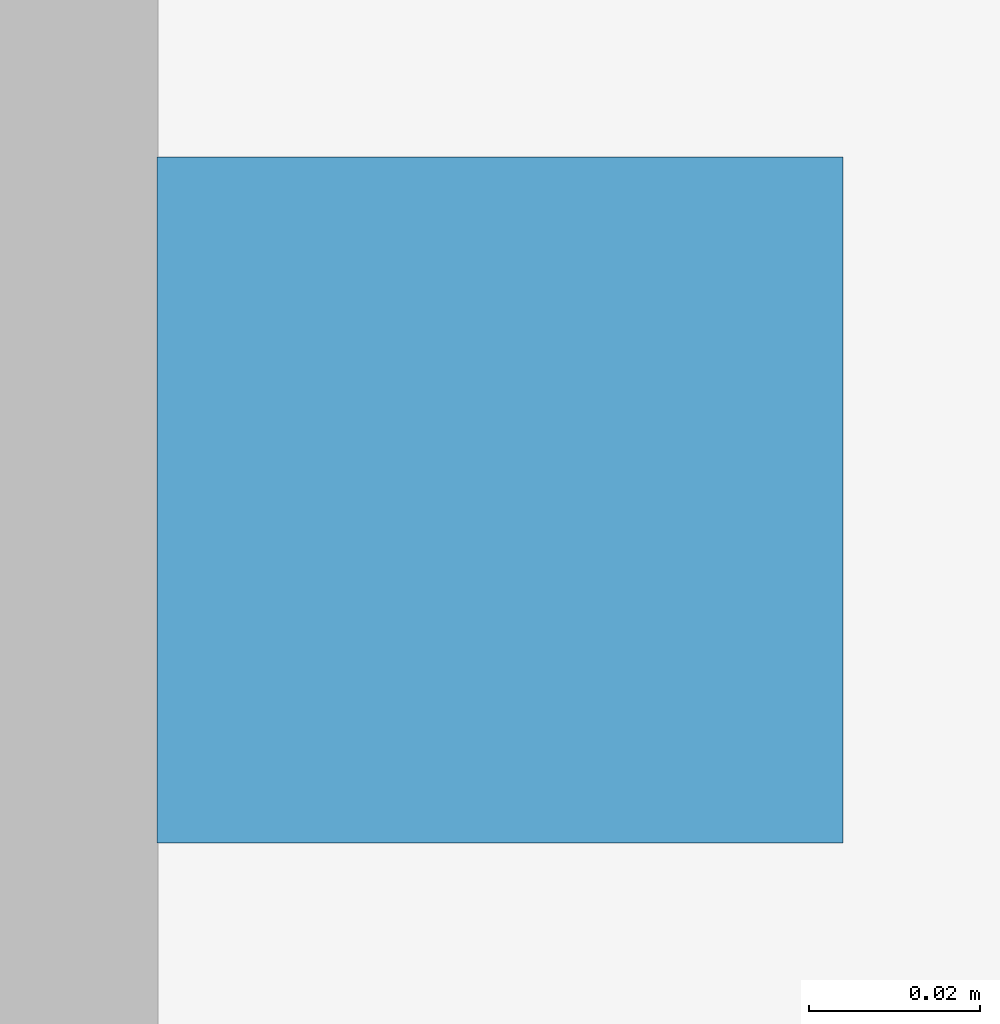
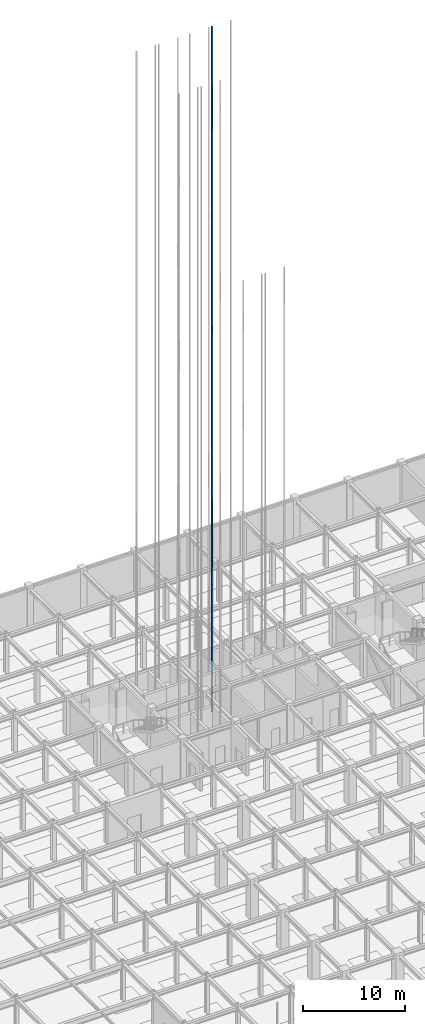
# One storey, part 62 of 69: 1 discrete accessory.
"""IFC4 building model written with IfcOpenShell, lengths in metres."""

import ifcopenshell
import ifcopenshell.guid

model = None  # the IFC model being written
_history = None  # IfcOwnerHistory: only IFC2X3 demands one
_inside = {}  # id of a spatial element -> (the spatial element, [elements in it])
_under = {}  # id of a project, library or spatial element -> (it, [spatial elements below it])
_declared = {}  # id of a project -> (the project, [libraries it declares])
_typed = {}  # id of a type object -> (the type object, [elements of that type])
_made_of = {}  # id of a material, layer set ... -> (it, [elements and type objects made of it])


def new_model(schema):
    """Start an empty IFC model of exactly this schema.

    Asked for "IFC4X3", IfcOpenShell would pick the latest addendum, in which some entities
    have other attributes; the version numbers below select the first issue.
    IFC2X3 requires an IfcOwnerHistory on every rooted entity: one is made here for all.
    """
    global model, _history
    if schema == "IFC4X3":
        model = ifcopenshell.file(schema_version=(4, 3, 0, 0))
    else:
        model = ifcopenshell.file(schema=schema)
    _inside.clear()
    _under.clear()
    _declared.clear()
    _typed.clear()
    _made_of.clear()
    _history = None
    if model.schema == "IFC2X3":
        org = make("IfcOrganization", Name="unknown")
        user = make(
            "IfcPersonAndOrganization",
            ThePerson=make("IfcPerson", FamilyName="unknown"),
            TheOrganization=org,
        )
        app = make(
            "IfcApplication",
            ApplicationDeveloper=org,
            Version="unknown",
            ApplicationFullName="unknown",
            ApplicationIdentifier="unknown",
        )
        _history = make(
            "IfcOwnerHistory",
            OwningUser=user,
            OwningApplication=app,
            ChangeAction="ADDED",
            CreationDate=0,
        )
    return model


def make(cls, **values):
    """One entity of the class cls with the attributes given. An attribute that is None is left unset."""
    return model.create_entity(
        cls, **{name: value for name, value in values.items() if value is not None}
    )


def rooted(cls, **values):
    """An entity with a GlobalId (a new one), such as an element, a storey or a relation."""
    return make(cls, GlobalId=ifcopenshell.guid.new(), OwnerHistory=_history, **values)


def si_unit(unit_type, name, prefix=None):
    """IfcSIUnit, for example si_unit("LENGTHUNIT", "METRE", prefix="MILLI")."""
    return make("IfcSIUnit", UnitType=unit_type, Prefix=prefix, Name=name)


def assignment(units):
    """IfcUnitAssignment: the units of a project."""
    return None if units is None else make("IfcUnitAssignment", Units=units)


def point(xyz):
    """IfcCartesianPoint."""
    return None if xyz is None else make("IfcCartesianPoint", Coordinates=xyz)


def direction(xyz):
    """IfcDirection."""
    return None if xyz is None else make("IfcDirection", DirectionRatios=xyz)


def frame(location, z_axis=None, x_axis=None):
    """IfcAxis2Placement3D, a coordinate frame: its origin and axes. An axis left out is left unset."""
    return make(
        "IfcAxis2Placement3D",
        Location=point(location),
        Axis=direction(z_axis),
        RefDirection=direction(x_axis),
    )


def frame_2d(location, x_axis=None):
    """IfcAxis2Placement2D, a coordinate frame in the plane: its origin and x axis."""
    return make(
        "IfcAxis2Placement2D", Location=point(location), RefDirection=direction(x_axis)
    )


def origin():
    """The frame at (0, 0, 0) with its axes left unset."""
    return frame((0.0, 0.0, 0.0))


def origin_2d():
    """The frame at (0, 0) in the plane with its x axis left unset."""
    return frame_2d((0.0, 0.0))


def place(relative_to, where):
    """IfcLocalPlacement: puts the frame where relative to a parent placement (None: the world)."""
    return make(
        "IfcLocalPlacement", PlacementRelTo=relative_to, RelativePlacement=where
    )


def context(
    kind, dimensions, precision=None, world=None, true_north=None, identifier=None
):
    """IfcGeometricRepresentationContext, for example the 3D "Model" context."""
    return make(
        "IfcGeometricRepresentationContext",
        ContextIdentifier=identifier,
        ContextType=kind,
        CoordinateSpaceDimension=dimensions,
        Precision=precision,
        WorldCoordinateSystem=world,
        TrueNorth=true_north,
    )


def subcontext(parent, identifier, kind, view, scale=None):
    """IfcGeometricRepresentationSubContext, for example "Body" below "Model"."""
    return make(
        "IfcGeometricRepresentationSubContext",
        ContextIdentifier=identifier,
        ContextType=kind,
        ParentContext=parent,
        TargetScale=scale,
        TargetView=view,
    )


def project(units=None, contexts=None):
    """IfcProject with its units and contexts."""
    return rooted(
        "IfcProject",
        Name="project",
        RepresentationContexts=contexts,
        UnitsInContext=assignment(units),
    )


def spatial(cls, under=None, at=None, **own):
    """A site, building, storey or space (cls), placed at a placement, below another one or the project."""
    s = rooted(cls, ObjectPlacement=at, **own)
    if under is not None:
        _under.setdefault(under.id(), (under, []))[1].append(s)
    return s


def profile(cls, at=None, kind="AREA", **sizes):
    """A parametric profile (cls). Its sizes go by their IFC names, for example OverallWidth=200.0."""
    return make(cls, ProfileType=kind, Position=at, **sizes)


def rectangle(**sizes):
    """IfcRectangleProfileDef."""
    return profile("IfcRectangleProfileDef", **sizes)


def extrude(swept, where, along, depth):
    """IfcExtrudedAreaSolid: the profile swept, set in the frame where, extruded along a direction by depth."""
    return make(
        "IfcExtrudedAreaSolid",
        SweptArea=swept,
        Position=where,
        ExtrudedDirection=direction(along),
        Depth=depth,
    )


def shape(context_of_items, identifier, shape_type, items):
    """IfcShapeRepresentation: the items that make up one representation, for example the "Body"."""
    return make(
        "IfcShapeRepresentation",
        ContextOfItems=context_of_items,
        RepresentationIdentifier=identifier,
        RepresentationType=shape_type,
        Items=items,
    )


def material(Name=None, Category=None):
    """IfcMaterial."""
    return make("IfcMaterial", Name=Name, Category=Category)


def made_of(thing, what):
    """Note that an element or type object is made of a material, layer set ...; save() writes the relation."""
    if what is not None:
        _made_of.setdefault(what.id(), (what, []))[1].append(thing)
    return thing


def type_object(cls, material=None, **own):
    """A type object (cls), such as IfcWallType, which elements share."""
    return made_of(rooted(cls, **own), material)


def element(
    cls,
    number,
    at=None,
    inside=None,
    cuts=None,
    type_object=None,
    material=None,
    context=None,
    identifier="Body",
    shape_type=None,
    held_by="IfcProductDefinitionShape",
    body=None,
    shapes=None,
    **own,
):
    """One element of the class cls, such as IfcWall. Its Tag is "e" and its number.

    at: its placement. inside: the storey or other place that contains it. cuts: it is an
    opening in that element (IfcRelVoidsElement). A single representation is given by context,
    identifier, shape_type and body (its items); several are given by shapes. held_by: the class
    of the entity that holds the representations. save() writes the other relations.
    """
    e = rooted(cls, Tag="e%d" % number, ObjectPlacement=at, **own)
    if body is not None:
        shapes = [shape(context, identifier, shape_type, body)]
    if shapes is not None:
        e.Representation = make(held_by, Representations=shapes)
    if inside is not None:
        _inside.setdefault(inside.id(), (inside, []))[1].append(e)
    if cuts is not None:
        rooted(
            "IfcRelVoidsElement", RelatingBuildingElement=cuts, RelatedOpeningElement=e
        )
    if type_object is not None:
        _typed.setdefault(type_object.id(), (type_object, []))[1].append(e)
    return made_of(e, material)


def aggregate(whole, parts):
    """IfcRelAggregates: a whole, such as a stair, and the parts it consists of."""
    return rooted("IfcRelAggregates", RelatingObject=whole, RelatedObjects=parts)


def save(model, path):
    """Write the relations noted so far, then the file.

    IfcRelAggregates (storeys below a building ...), IfcRelContainedInSpatialStructure (elements
    in a storey), IfcRelDefinesByType, IfcRelAssociatesMaterial and IfcRelDeclares: one each for
    every whole, place, type object, material and project.
    """
    for whole, parts in _under.values():
        aggregate(whole, parts)
    for where, things in _inside.values():
        rooted(
            "IfcRelContainedInSpatialStructure",
            RelatedElements=things,
            RelatingStructure=where,
        )
    for kind, things in _typed.values():
        rooted("IfcRelDefinesByType", RelatedObjects=things, RelatingType=kind)
    for what, things in _made_of.values():
        rooted("IfcRelAssociatesMaterial", RelatedObjects=things, RelatingMaterial=what)
    for by, libraries in _declared.values():
        rooted("IfcRelDeclares", RelatingContext=by, RelatedDefinitions=libraries)
    model.write(path)


model = new_model("IFC4")

# Units and contexts
model_context = context("Model", 3, precision=1e-05, world=origin(), true_north=direction((0.0, 1.0)))
body_context = subcontext(model_context, "Body", "Model", "MODEL_VIEW")
ifc_project = project(units=[si_unit("LENGTHUNIT", "METRE"), si_unit("AREAUNIT", "SQUARE_METRE"), si_unit("VOLUMEUNIT", "CUBIC_METRE"), si_unit("PLANEANGLEUNIT", "RADIAN"), si_unit("MASSUNIT", "GRAM", prefix="KILO")], contexts=[model_context])

# Site, building, storey
site_placement = place(None, origin())
site = spatial("IfcSite", under=ifc_project, at=site_placement, CompositionType="ELEMENT")
building_placement = place(site_placement, origin())
building = spatial("IfcBuilding", under=site, at=building_placement, Name="Zlatovratsky Civic Hall", CompositionType="ELEMENT")
storey_placement = place(building_placement, frame((0.0, 0.0, -4.800048828125)))
storey = spatial("IfcBuildingStorey", under=building, at=storey_placement, Name="B1", CompositionType="ELEMENT", Elevation=-4.800048828125)

# Discrete accessory
ifc_material = material(Name="Steel S355", Category="steel")
discrete_accessory_type = type_object("IfcDiscreteAccessoryType", Name="Lift_GuideRail", PredefinedType="USERDEFINED", material=ifc_material)
discrete_accessory_placement = place(storey_placement, frame((81.18994140625, 94.14990234375, -1.60009765625), z_axis=(0.0, 0.0, 1.0), x_axis=(1.0, 0.0, 0.0)))
element("IfcDiscreteAccessory", 1, at=discrete_accessory_placement, inside=storey, type_object=discrete_accessory_type, Name="Lift Guide Rail LP-04 L", ObjectType="GUIDE RAIL", PredefinedType="USERDEFINED", context=body_context, shape_type="SweptSolid", body=[
    extrude(rectangle(XDim=0.080078125, YDim=0.080078125, at=origin_2d()), origin(), (0.0, 0.0, 1.0), 81.60009765625),
])

save(model, "model.ifc")
